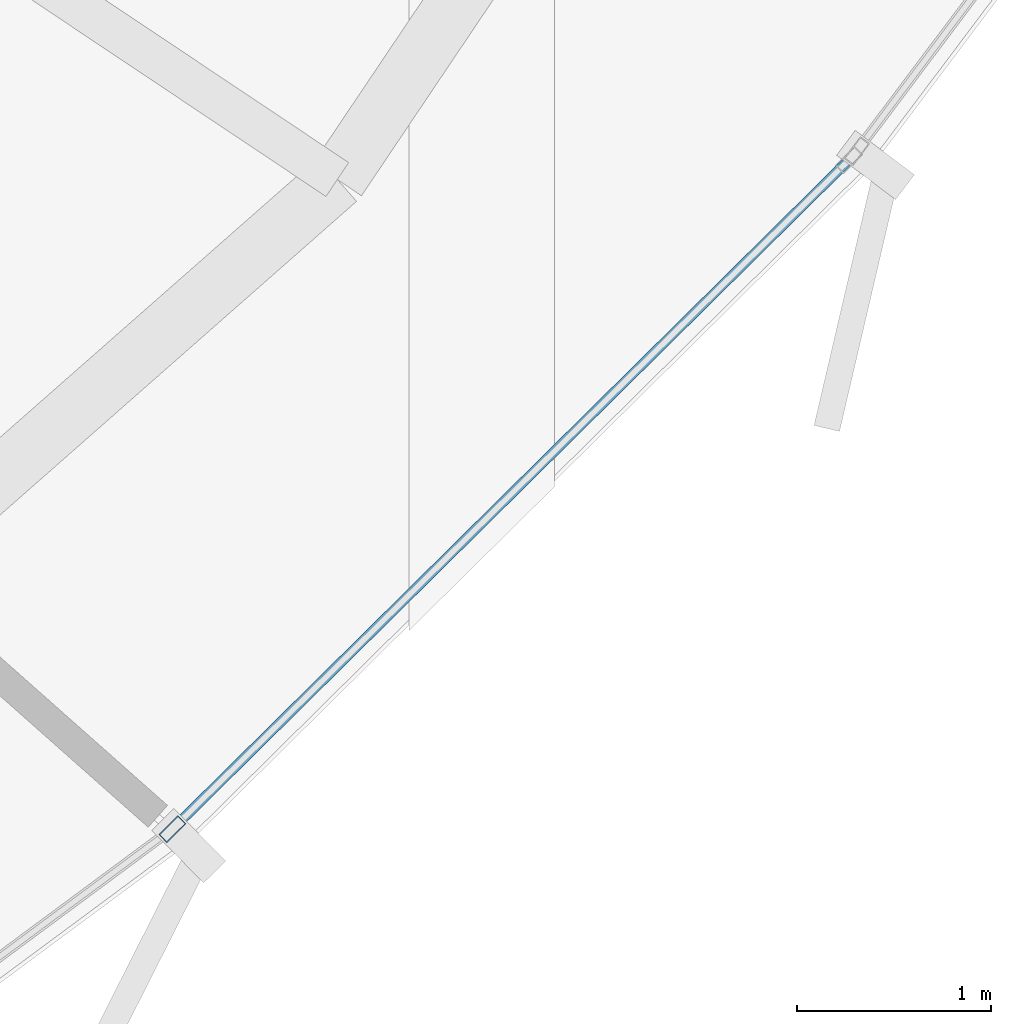
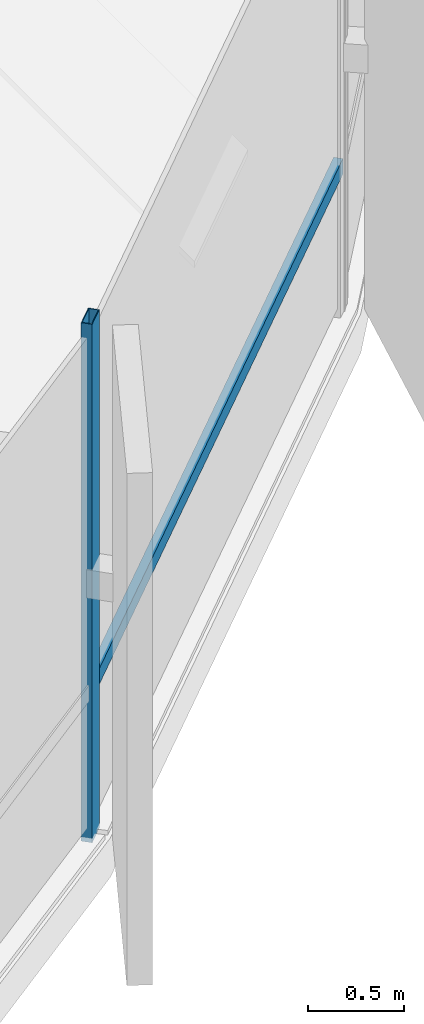
# One storey, part 14 of 37: 2 members, 1 element without a shape of its own.
"""IFC4 building model written with IfcOpenShell, lengths in metres."""

from ifc_helpers import new_model, si_unit, direction, frame, origin, origin_2d, place, context, subcontext, project, spatial, hollow_rectangle, extrude, source, transform, mapped, material, layer, layer_set, material_profile, profile_set, type_object, element, aggregate, save


model = new_model("IFC4")

# Units and contexts
model_context = context("Model", 3, precision=1e-05, world=origin(), true_north=direction((0.0, 1.0)))
body_context = subcontext(model_context, "Body", "Model", "MODEL_VIEW")
ifc_project = project(units=[si_unit("LENGTHUNIT", "METRE"), si_unit("AREAUNIT", "SQUARE_METRE"), si_unit("VOLUMEUNIT", "CUBIC_METRE"), si_unit("PLANEANGLEUNIT", "RADIAN"), si_unit("MASSUNIT", "GRAM", prefix="KILO"), si_unit("THERMODYNAMICTEMPERATUREUNIT", "KELVIN")], contexts=[model_context])

# Site, building, storey
site_placement = place(None, origin())
site = spatial("IfcSite", under=ifc_project, at=site_placement, CompositionType="ELEMENT")
building_placement = place(site_placement, origin())
building = spatial("IfcBuilding", under=site, at=building_placement, Name="Kethvar Cultural Tower", CompositionType="ELEMENT")
storey_placement = place(building_placement, frame((0.0, 0.0, 132.35009765625)))
storey = spatial("IfcBuildingStorey", under=building, at=storey_placement, Name="L33", CompositionType="ELEMENT", Elevation=132.35009765625)

# Curtain wall, members
ifc_material = material(Name="Aluminium 6063-T6", Category="aluminium")
ifc_layer = layer(ifc_material, 0.179931640625, Name="Aluminium 6063-T6", Category="aluminium")
ifc_layer_set = layer_set([ifc_layer], Name="Aluminium 6063-T6 (180 mm)")
curtain_wall_type = type_object("IfcCurtainWallType", Name="CW-SYS-04-Z34", PredefinedType="NOTDEFINED", material=ifc_layer_set)
curtain_wall_placement = place(storey_placement, origin())
curtain_wall = element("IfcCurtainWall", 1, at=curtain_wall_placement, inside=storey, type_object=curtain_wall_type, Name="L33 Curtain Wall Run 05", PredefinedType="NOTDEFINED")
ifc_material_profile_1 = material_profile(ifc_material, hollow_rectangle(XDim=0.06005859375, YDim=0.139892578125, WallThickness=0.0048828125, at=origin_2d()), Name="Aluminium 6063-T6 — RHS140x60x5")
ifc_profile_set_1 = profile_set([ifc_material_profile_1], Name="Aluminium 6063-T6 — RHS140x60x5")
member_type_1 = type_object("IfcMemberType", Name="CW-SYS-04-Z34-MUL", PredefinedType="MULLION", material=ifc_profile_set_1)
shared_shape_1 = source(origin(), body_context, "Body", "SweptSolid", [
    extrude(hollow_rectangle(XDim=0.06005859375, YDim=0.139892578125, WallThickness=0.0048828125, at=origin_2d()), origin(), (0.0, 0.0, 1.0), 3.2998046875),
])
member_1_placement = place(storey_placement, frame((64.7099609375, 11.919189453125, 0.0), z_axis=(0.0, 0.0, 1.0), x_axis=(-0.703171363863, 0.711020416756, 0.0)))
member_1 = element("IfcMember", 2, at=member_1_placement, type_object=member_type_1, Name="CW-L33-R05 Mullion 6", PredefinedType="MULLION", context=body_context, shape_type="MappedRepresentation", body=[
    mapped(shared_shape_1, transform((0.0, 0.0, 0.0), scale=1.0)),
])
ifc_material_profile_2 = material_profile(ifc_material, hollow_rectangle(XDim=0.050048828125, YDim=0.10009765625, WallThickness=0.00390625, at=origin_2d()), Name="Aluminium 6063-T6 — RHS100x50x4")
ifc_profile_set_2 = profile_set([ifc_material_profile_2], Name="Aluminium 6063-T6 — RHS100x50x4")
member_type_2 = type_object("IfcMemberType", Name="CW-SYS-04-Z34-TRN", PredefinedType="USERDEFINED", material=ifc_profile_set_2)
shared_shape_2 = source(origin(), body_context, "Body", "SweptSolid", [
    extrude(hollow_rectangle(XDim=0.050048828125, YDim=0.10009765625, WallThickness=0.00390625, at=origin_2d()), origin(), (0.0, 0.0, 1.0), 4.853759765625),
])
member_2_placement = place(storey_placement, frame((64.740478515625, 11.94970703125, 0.949951171875), z_axis=(0.711019177915, 0.703172616529, 0.0), x_axis=(-0.703172616529, 0.711019177915, 0.0)))
member_2 = element("IfcMember", 3, at=member_2_placement, type_object=member_type_2, Name="CW-L33-R05 Transom 6", ObjectType="TRANSOM", PredefinedType="USERDEFINED", context=body_context, shape_type="MappedRepresentation", body=[
    mapped(shared_shape_2, transform((0.0, 0.0, 0.0), scale=1.0)),
])
aggregate(curtain_wall, [member_1, member_2])

save(model, "model.ifc")
